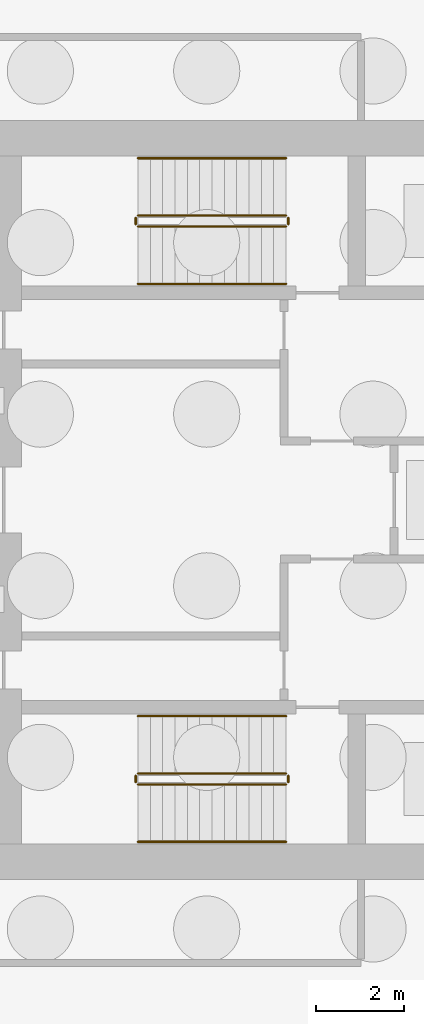
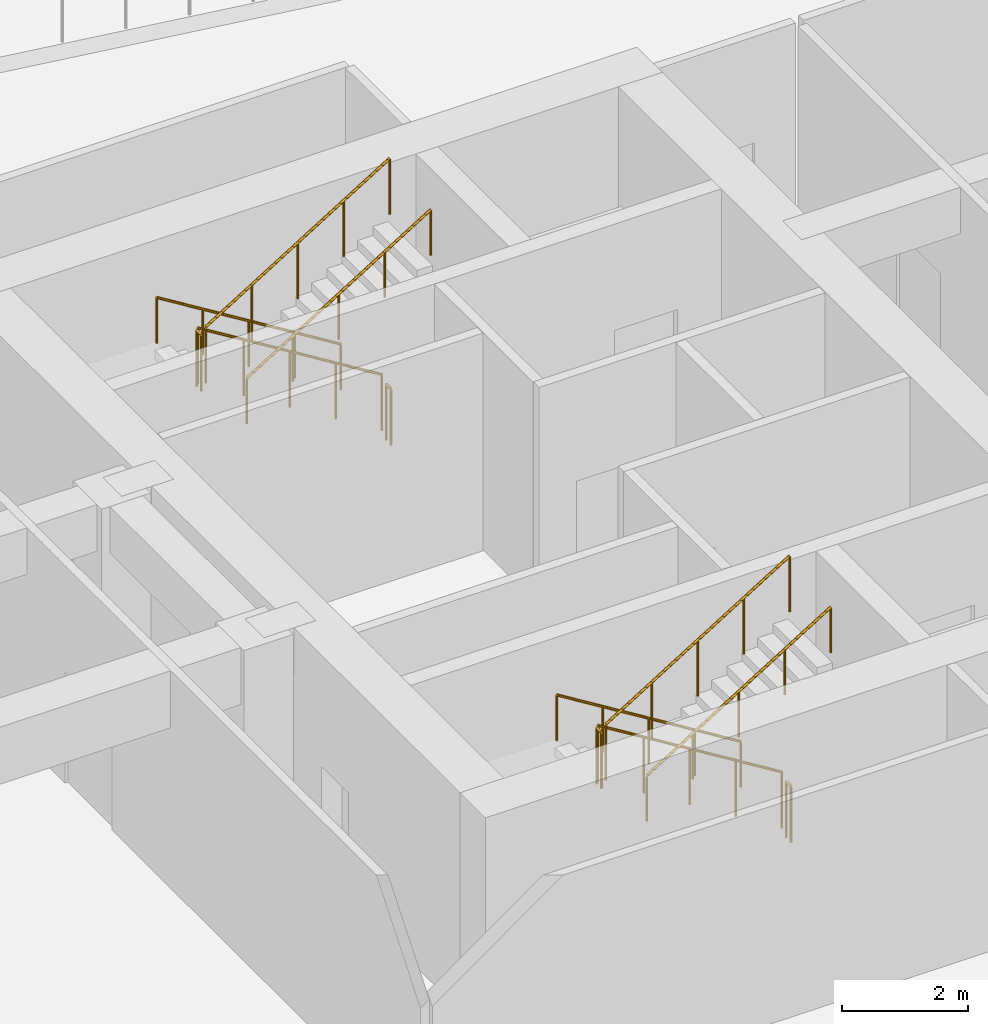
# One storey, part 9 of 11: 12 railings.
"""IFC4 building model written with IfcOpenShell, lengths in metres."""

import ifcopenshell
import ifcopenshell.guid

model = None  # the IFC model being written
_history = None  # IfcOwnerHistory: only IFC2X3 demands one
_inside = {}  # id of a spatial element -> (the spatial element, [elements in it])
_under = {}  # id of a project, library or spatial element -> (it, [spatial elements below it])
_declared = {}  # id of a project -> (the project, [libraries it declares])
_typed = {}  # id of a type object -> (the type object, [elements of that type])
_made_of = {}  # id of a material, layer set ... -> (it, [elements and type objects made of it])


def new_model(schema):
    """Start an empty IFC model of exactly this schema.

    Asked for "IFC4X3", IfcOpenShell would pick the latest addendum, in which some entities
    have other attributes; the version numbers below select the first issue.
    IFC2X3 requires an IfcOwnerHistory on every rooted entity: one is made here for all.
    """
    global model, _history
    if schema == "IFC4X3":
        model = ifcopenshell.file(schema_version=(4, 3, 0, 0))
    else:
        model = ifcopenshell.file(schema=schema)
    _inside.clear()
    _under.clear()
    _declared.clear()
    _typed.clear()
    _made_of.clear()
    _history = None
    if model.schema == "IFC2X3":
        org = make("IfcOrganization", Name="unknown")
        user = make(
            "IfcPersonAndOrganization",
            ThePerson=make("IfcPerson", FamilyName="unknown"),
            TheOrganization=org,
        )
        app = make(
            "IfcApplication",
            ApplicationDeveloper=org,
            Version="unknown",
            ApplicationFullName="unknown",
            ApplicationIdentifier="unknown",
        )
        _history = make(
            "IfcOwnerHistory",
            OwningUser=user,
            OwningApplication=app,
            ChangeAction="ADDED",
            CreationDate=0,
        )
    return model


def make(cls, **values):
    """One entity of the class cls with the attributes given. An attribute that is None is left unset."""
    return model.create_entity(
        cls, **{name: value for name, value in values.items() if value is not None}
    )


def rooted(cls, **values):
    """An entity with a GlobalId (a new one), such as an element, a storey or a relation."""
    return make(cls, GlobalId=ifcopenshell.guid.new(), OwnerHistory=_history, **values)


def si_unit(unit_type, name, prefix=None):
    """IfcSIUnit, for example si_unit("LENGTHUNIT", "METRE", prefix="MILLI")."""
    return make("IfcSIUnit", UnitType=unit_type, Prefix=prefix, Name=name)


def assignment(units):
    """IfcUnitAssignment: the units of a project."""
    return None if units is None else make("IfcUnitAssignment", Units=units)


def point(xyz):
    """IfcCartesianPoint."""
    return None if xyz is None else make("IfcCartesianPoint", Coordinates=xyz)


def direction(xyz):
    """IfcDirection."""
    return None if xyz is None else make("IfcDirection", DirectionRatios=xyz)


def frame(location, z_axis=None, x_axis=None):
    """IfcAxis2Placement3D, a coordinate frame: its origin and axes. An axis left out is left unset."""
    return make(
        "IfcAxis2Placement3D",
        Location=point(location),
        Axis=direction(z_axis),
        RefDirection=direction(x_axis),
    )


def frame_2d(location, x_axis=None):
    """IfcAxis2Placement2D, a coordinate frame in the plane: its origin and x axis."""
    return make(
        "IfcAxis2Placement2D", Location=point(location), RefDirection=direction(x_axis)
    )


def origin():
    """The frame at (0, 0, 0) with its axes left unset."""
    return frame((0.0, 0.0, 0.0))


def origin_2d():
    """The frame at (0, 0) in the plane with its x axis left unset."""
    return frame_2d((0.0, 0.0))


def place(relative_to, where):
    """IfcLocalPlacement: puts the frame where relative to a parent placement (None: the world)."""
    return make(
        "IfcLocalPlacement", PlacementRelTo=relative_to, RelativePlacement=where
    )


def context(
    kind, dimensions, precision=None, world=None, true_north=None, identifier=None
):
    """IfcGeometricRepresentationContext, for example the 3D "Model" context."""
    return make(
        "IfcGeometricRepresentationContext",
        ContextIdentifier=identifier,
        ContextType=kind,
        CoordinateSpaceDimension=dimensions,
        Precision=precision,
        WorldCoordinateSystem=world,
        TrueNorth=true_north,
    )


def subcontext(parent, identifier, kind, view, scale=None):
    """IfcGeometricRepresentationSubContext, for example "Body" below "Model"."""
    return make(
        "IfcGeometricRepresentationSubContext",
        ContextIdentifier=identifier,
        ContextType=kind,
        ParentContext=parent,
        TargetScale=scale,
        TargetView=view,
    )


def project(units=None, contexts=None):
    """IfcProject with its units and contexts."""
    return rooted(
        "IfcProject",
        Name="project",
        RepresentationContexts=contexts,
        UnitsInContext=assignment(units),
    )


def spatial(cls, under=None, at=None, **own):
    """A site, building, storey or space (cls), placed at a placement, below another one or the project."""
    s = rooted(cls, ObjectPlacement=at, **own)
    if under is not None:
        _under.setdefault(under.id(), (under, []))[1].append(s)
    return s


def profile(cls, at=None, kind="AREA", **sizes):
    """A parametric profile (cls). Its sizes go by their IFC names, for example OverallWidth=200.0."""
    return make(cls, ProfileType=kind, Position=at, **sizes)


def circle(**sizes):
    """IfcCircleProfileDef."""
    return profile("IfcCircleProfileDef", **sizes)


def extrude(swept, where, along, depth):
    """IfcExtrudedAreaSolid: the profile swept, set in the frame where, extruded along a direction by depth."""
    return make(
        "IfcExtrudedAreaSolid",
        SweptArea=swept,
        Position=where,
        ExtrudedDirection=direction(along),
        Depth=depth,
    )


def shape(context_of_items, identifier, shape_type, items):
    """IfcShapeRepresentation: the items that make up one representation, for example the "Body"."""
    return make(
        "IfcShapeRepresentation",
        ContextOfItems=context_of_items,
        RepresentationIdentifier=identifier,
        RepresentationType=shape_type,
        Items=items,
    )


def source(mapping_origin, context_of_items, identifier, shape_type, items):
    """IfcRepresentationMap: a shape defined once, which mapped items show again and again."""
    return make(
        "IfcRepresentationMap",
        MappingOrigin=mapping_origin,
        MappedRepresentation=shape(context_of_items, identifier, shape_type, items),
    )


def transform(
    local_origin,
    x_axis=None,
    y_axis=None,
    z_axis=None,
    scale=None,
    scale2=None,
    scale3=None,
    uniform=True,
):
    """IfcCartesianTransformationOperator3D, or its non-uniform kind. x_axis, y_axis, z_axis: its Axis1, 2, 3."""
    if uniform:
        return make(
            "IfcCartesianTransformationOperator3D",
            Axis1=direction(x_axis),
            Axis2=direction(y_axis),
            LocalOrigin=point(local_origin),
            Scale=scale,
            Axis3=direction(z_axis),
        )
    return make(
        "IfcCartesianTransformationOperator3DnonUniform",
        Axis1=direction(x_axis),
        Axis2=direction(y_axis),
        LocalOrigin=point(local_origin),
        Scale=scale,
        Axis3=direction(z_axis),
        Scale2=scale2,
        Scale3=scale3,
    )


def mapped(mapping_source, mapping_target):
    """IfcMappedItem: shows the shape of a source again, moved by a transform."""
    return make(
        "IfcMappedItem", MappingSource=mapping_source, MappingTarget=mapping_target
    )


def material(Name=None, Category=None):
    """IfcMaterial."""
    return make("IfcMaterial", Name=Name, Category=Category)


def made_of(thing, what):
    """Note that an element or type object is made of a material, layer set ...; save() writes the relation."""
    if what is not None:
        _made_of.setdefault(what.id(), (what, []))[1].append(thing)
    return thing


def type_object(cls, material=None, **own):
    """A type object (cls), such as IfcWallType, which elements share."""
    return made_of(rooted(cls, **own), material)


def element(
    cls,
    number,
    at=None,
    inside=None,
    cuts=None,
    type_object=None,
    material=None,
    context=None,
    identifier="Body",
    shape_type=None,
    held_by="IfcProductDefinitionShape",
    body=None,
    shapes=None,
    **own,
):
    """One element of the class cls, such as IfcWall. Its Tag is "e" and its number.

    at: its placement. inside: the storey or other place that contains it. cuts: it is an
    opening in that element (IfcRelVoidsElement). A single representation is given by context,
    identifier, shape_type and body (its items); several are given by shapes. held_by: the class
    of the entity that holds the representations. save() writes the other relations.
    """
    e = rooted(cls, Tag="e%d" % number, ObjectPlacement=at, **own)
    if body is not None:
        shapes = [shape(context, identifier, shape_type, body)]
    if shapes is not None:
        e.Representation = make(held_by, Representations=shapes)
    if inside is not None:
        _inside.setdefault(inside.id(), (inside, []))[1].append(e)
    if cuts is not None:
        rooted(
            "IfcRelVoidsElement", RelatingBuildingElement=cuts, RelatedOpeningElement=e
        )
    if type_object is not None:
        _typed.setdefault(type_object.id(), (type_object, []))[1].append(e)
    return made_of(e, material)


def aggregate(whole, parts):
    """IfcRelAggregates: a whole, such as a stair, and the parts it consists of."""
    return rooted("IfcRelAggregates", RelatingObject=whole, RelatedObjects=parts)


def save(model, path):
    """Write the relations noted so far, then the file.

    IfcRelAggregates (storeys below a building ...), IfcRelContainedInSpatialStructure (elements
    in a storey), IfcRelDefinesByType, IfcRelAssociatesMaterial and IfcRelDeclares: one each for
    every whole, place, type object, material and project.
    """
    for whole, parts in _under.values():
        aggregate(whole, parts)
    for where, things in _inside.values():
        rooted(
            "IfcRelContainedInSpatialStructure",
            RelatedElements=things,
            RelatingStructure=where,
        )
    for kind, things in _typed.values():
        rooted("IfcRelDefinesByType", RelatedObjects=things, RelatingType=kind)
    for what, things in _made_of.values():
        rooted("IfcRelAssociatesMaterial", RelatedObjects=things, RelatingMaterial=what)
    for by, libraries in _declared.values():
        rooted("IfcRelDeclares", RelatingContext=by, RelatedDefinitions=libraries)
    model.write(path)


model = new_model("IFC4")

# Units and contexts
model_context = context("Model", 3, precision=1e-05, world=origin(), true_north=direction((0.0, 1.0)))
body_context = subcontext(model_context, "Body", "Model", "MODEL_VIEW")
ifc_project = project(units=[si_unit("LENGTHUNIT", "METRE"), si_unit("AREAUNIT", "SQUARE_METRE"), si_unit("VOLUMEUNIT", "CUBIC_METRE"), si_unit("PLANEANGLEUNIT", "RADIAN"), si_unit("MASSUNIT", "GRAM", prefix="KILO")], contexts=[model_context])

# Site, building, storey
site_placement = place(None, origin())
site = spatial("IfcSite", under=ifc_project, at=site_placement, CompositionType="ELEMENT")
building_placement = place(site_placement, origin())
building = spatial("IfcBuilding", under=site, at=building_placement, Name="Qafzar Sky-Pleat Residences", CompositionType="ELEMENT")
storey_placement = place(building_placement, frame((0.0, 0.0, -8.699951171875)))
storey = spatial("IfcBuildingStorey", under=building, at=storey_placement, Name="B02", CompositionType="ELEMENT", Elevation=-8.699951171875)

# Railings
ifc_material_1 = material(Name="Painted Steel S355 stair guardrail", Category="steel")
railing_type_1 = type_object("IfcRailingType", Name="RAIL-STAIR-GUARD", PredefinedType="GUARDRAIL", material=ifc_material_1)
shared_shape_1 = source(origin(), body_context, "Body", "SweptSolid", [
    extrude(circle(Radius=0.02392578125, at=origin_2d()), frame((0.0, 0.0, 1.076171875), z_axis=(-0.850623216509, 0.0, 0.525775754039), x_axis=(0.0, -1.0, 0.0)), (0.0, 0.0, 1.0), 3.9501953125),
    extrude(circle(Radius=0.02099609375, at=origin_2d()), origin(), (0.0, 0.0, 1.0), 1.052001953125),
    extrude(circle(Radius=0.02099609375, at=origin_2d()), frame((-0.840087890625, 0.0, 0.519287109375)), (0.0, 0.0, 1.0), 1.052001953125),
    extrude(circle(Radius=0.02099609375, at=origin_2d()), frame((-1.68017578125, 0.0, 1.03857421875)), (0.0, 0.0, 1.0), 1.052001953125),
    extrude(circle(Radius=0.02099609375, at=origin_2d()), frame((-2.52001953125, 0.0, 1.5576171875)), (0.0, 0.0, 1.0), 1.052001953125),
    extrude(circle(Radius=0.02099609375, at=origin_2d()), frame((-3.360107421875, 0.0, 2.076904296875)), (0.0, 0.0, 1.0), 1.052001953125),
])
for number, where, name in (
    (1, (30.800048828125, 19.800048828125, 0.173095703125), "B02 ST1 stair guard 1"),
    (2, (30.800048828125, 32.449951171875, 0.173095703125), "B02 ST2 stair guard 1"),
):
    element("IfcRailing", number, at=place(storey_placement, frame(where)), inside=storey, type_object=railing_type_1, Name=name, PredefinedType="GUARDRAIL", context=body_context, shape_type="MappedRepresentation", body=[
        mapped(shared_shape_1, transform((0.0, 0.0, 0.0), x_axis=(1.0, 0.0, 0.0), y_axis=(0.0, 1.0, 0.0), z_axis=(0.0, 0.0, 1.0), scale=1.0)),
    ])
shared_shape_2 = source(origin(), body_context, "Body", "SweptSolid", [
    extrude(circle(Radius=0.02392578125, at=origin_2d()), frame((0.0, 0.0, 1.076171875), z_axis=(0.0, -1.0, 0.0), x_axis=(1.0, 0.0, 0.0)), (0.0, 0.0, 1.0), 0.14990234375),
    extrude(circle(Radius=0.02099609375, at=origin_2d()), origin(), (0.0, 0.0, 1.0), 1.052001953125),
    extrude(circle(Radius=0.02099609375, at=origin_2d()), frame((0.0, -0.14990234375, 0.0)), (0.0, 0.0, 1.0), 1.052001953125),
])
for number, where, name in (
    (3, (27.389892578125, 19.75, 2.25), "B02 ST1 stair guard 2"),
    (4, (30.85009765625, 19.75, 0.0), "B02 ST1 stair guard 4"),
    (5, (27.389892578125, 32.39990234375, 2.25), "B02 ST2 stair guard 2"),
    (6, (30.85009765625, 32.39990234375, 0.0), "B02 ST2 stair guard 4"),
):
    element("IfcRailing", number, at=place(storey_placement, frame(where)), inside=storey, type_object=railing_type_1, Name=name, PredefinedType="GUARDRAIL", context=body_context, shape_type="MappedRepresentation", body=[
        mapped(shared_shape_2, transform((0.0, 0.0, 0.0), x_axis=(1.0, 0.0, 0.0), y_axis=(0.0, 1.0, 0.0), z_axis=(0.0, 0.0, 1.0), scale=1.0)),
    ])
shared_shape_3 = source(origin(), body_context, "Body", "SweptSolid", [
    extrude(circle(Radius=0.02392578125, at=origin_2d()), frame((0.0, 0.0, 1.076171875), z_axis=(0.850623216509, 0.0, 0.525775754039), x_axis=(0.0, 1.0, 0.0)), (0.0, 0.0, 1.0), 3.9501953125),
    extrude(circle(Radius=0.02099609375, at=origin_2d()), origin(), (0.0, 0.0, 1.0), 1.052001953125),
    extrude(circle(Radius=0.02099609375, at=origin_2d()), frame((0.840087890625, 0.0, 0.519287109375)), (0.0, 0.0, 1.0), 1.052001953125),
    extrude(circle(Radius=0.02099609375, at=origin_2d()), frame((1.68017578125, 0.0, 1.03857421875)), (0.0, 0.0, 1.0), 1.052001953125),
    extrude(circle(Radius=0.02099609375, at=origin_2d()), frame((2.52001953125, 0.0, 1.5576171875)), (0.0, 0.0, 1.0), 1.052001953125),
    extrude(circle(Radius=0.02099609375, at=origin_2d()), frame((3.360107421875, 0.0, 2.076904296875)), (0.0, 0.0, 1.0), 1.052001953125),
])
for number, where, name in (
    (7, (27.43994140625, 19.550048828125, 2.423095703125), "B02 ST1 stair guard 3"),
    (8, (27.43994140625, 32.199951171875, 2.423095703125), "B02 ST2 stair guard 3"),
):
    element("IfcRailing", number, at=place(storey_placement, frame(where)), inside=storey, type_object=railing_type_1, Name=name, PredefinedType="GUARDRAIL", context=body_context, shape_type="MappedRepresentation", body=[
        mapped(shared_shape_3, transform((0.0, 0.0, 0.0), x_axis=(1.0, 0.0, 0.0), y_axis=(0.0, 1.0, 0.0), z_axis=(0.0, 0.0, 1.0), scale=1.0)),
    ])
ifc_material_2 = material(Name="Brushed stainless steel handrail", Category="steel")
railing_type_2 = type_object("IfcRailingType", Name="RAIL-STAIR-HAND", PredefinedType="HANDRAIL", material=ifc_material_2)
shared_shape_4 = source(origin(), body_context, "Body", "SweptSolid", [
    extrude(circle(Radius=0.02392578125, at=origin_2d()), frame((0.0, 0.0, 0.8759765625), z_axis=(-0.850623216509, 0.0, 0.525775754039), x_axis=(0.0, -1.0, 0.0)), (0.0, 0.0, 1.0), 3.9501953125),
    extrude(circle(Radius=0.02099609375, at=origin_2d()), origin(), (0.0, 0.0, 1.0), 0.851806640625),
    extrude(circle(Radius=0.02099609375, at=origin_2d()), frame((-0.840087890625, 0.0, 0.519287109375)), (0.0, 0.0, 1.0), 0.851806640625),
    extrude(circle(Radius=0.02099609375, at=origin_2d()), frame((-1.68017578125, 0.0, 1.03857421875)), (0.0, 0.0, 1.0), 0.851806640625),
    extrude(circle(Radius=0.02099609375, at=origin_2d()), frame((-2.52001953125, 0.0, 1.5576171875)), (0.0, 0.0, 1.0), 0.851806640625),
    extrude(circle(Radius=0.02099609375, at=origin_2d()), frame((-3.360107421875, 0.0, 2.076904296875)), (0.0, 0.0, 1.0), 0.851806640625),
])
for number, where, name in (
    (9, (30.800048828125, 21.10009765625, 0.173095703125), "B02 ST1 stair handrail 1"),
    (10, (30.800048828125, 33.75, 0.173095703125), "B02 ST2 stair handrail 1"),
):
    element("IfcRailing", number, at=place(storey_placement, frame(where)), inside=storey, type_object=railing_type_2, Name=name, PredefinedType="HANDRAIL", context=body_context, shape_type="MappedRepresentation", body=[
        mapped(shared_shape_4, transform((0.0, 0.0, 0.0), x_axis=(1.0, 0.0, 0.0), y_axis=(0.0, 1.0, 0.0), z_axis=(0.0, 0.0, 1.0), scale=1.0)),
    ])
shared_shape_5 = source(origin(), body_context, "Body", "SweptSolid", [
    extrude(circle(Radius=0.02392578125, at=origin_2d()), frame((0.0, 0.0, 0.8759765625), z_axis=(0.850623216509, 0.0, 0.525775754039), x_axis=(0.0, 1.0, 0.0)), (0.0, 0.0, 1.0), 3.9501953125),
    extrude(circle(Radius=0.02099609375, at=origin_2d()), origin(), (0.0, 0.0, 1.0), 0.851806640625),
    extrude(circle(Radius=0.02099609375, at=origin_2d()), frame((0.840087890625, 0.0, 0.519287109375)), (0.0, 0.0, 1.0), 0.851806640625),
    extrude(circle(Radius=0.02099609375, at=origin_2d()), frame((1.68017578125, 0.0, 1.03857421875)), (0.0, 0.0, 1.0), 0.851806640625),
    extrude(circle(Radius=0.02099609375, at=origin_2d()), frame((2.52001953125, 0.0, 1.5576171875)), (0.0, 0.0, 1.0), 0.851806640625),
    extrude(circle(Radius=0.02099609375, at=origin_2d()), frame((3.360107421875, 0.0, 2.076904296875)), (0.0, 0.0, 1.0), 0.851806640625),
])
for number, where, name in (
    (11, (27.43994140625, 18.25, 2.423095703125), "B02 ST1 stair handrail 2"),
    (12, (27.43994140625, 30.89990234375, 2.423095703125), "B02 ST2 stair handrail 2"),
):
    element("IfcRailing", number, at=place(storey_placement, frame(where)), inside=storey, type_object=railing_type_2, Name=name, PredefinedType="HANDRAIL", context=body_context, shape_type="MappedRepresentation", body=[
        mapped(shared_shape_5, transform((0.0, 0.0, 0.0), x_axis=(1.0, 0.0, 0.0), y_axis=(0.0, 1.0, 0.0), z_axis=(0.0, 0.0, 1.0), scale=1.0)),
    ])

save(model, "model.ifc")
